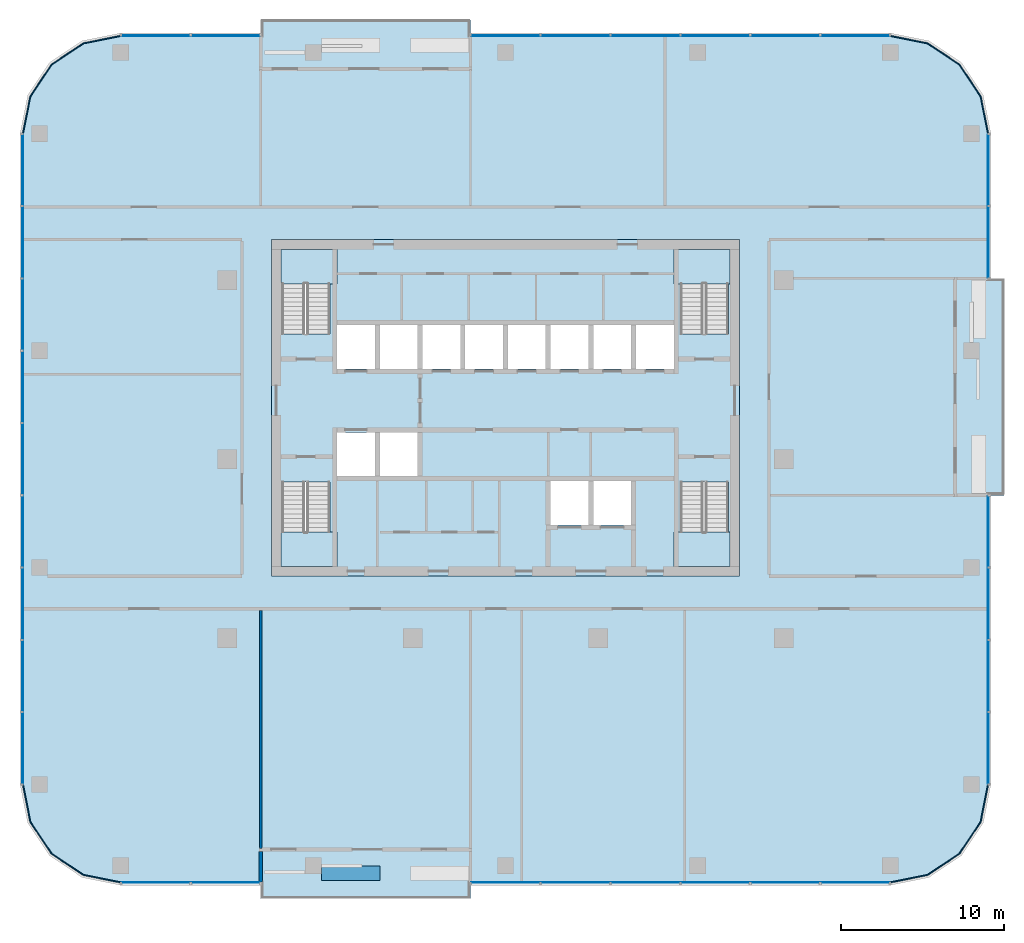
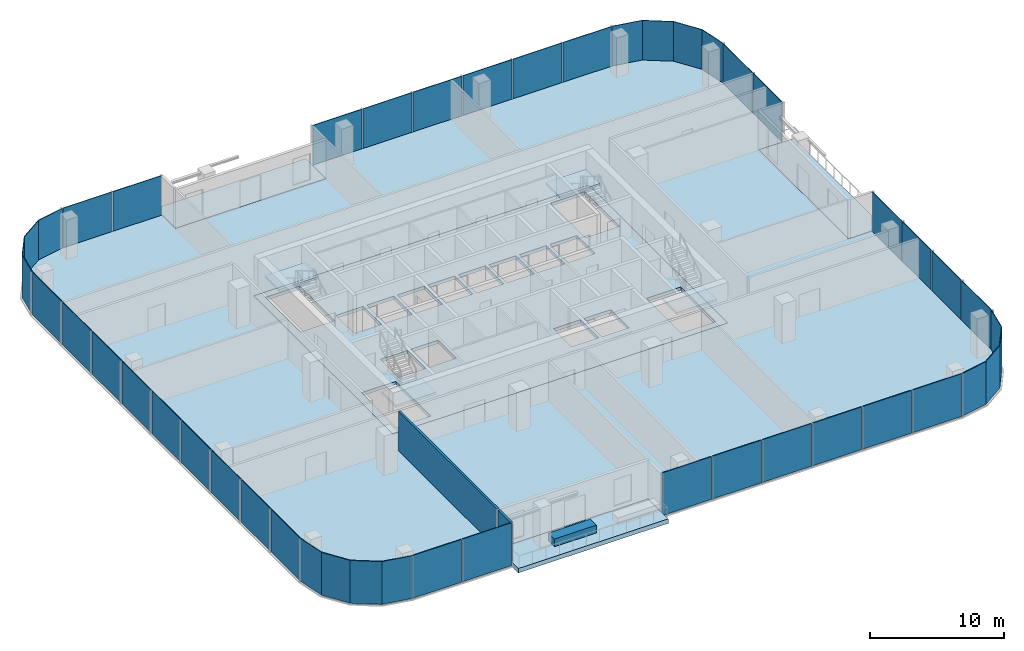
# One storey, part 6 of 13: 35 plates, 9 slabs, 3 walls, 15 elements without a shape of their own.
"""IFC4 building model written with IfcOpenShell, lengths in metres."""

from ifc_helpers import new_model, si_unit, direction, frame, frame_2d, origin, origin_2d, place, context, subcontext, project, spatial, polyline, rectangle, outline, extrude, material, layer, layer_set, type_object, element, aggregate, save


model = new_model("IFC4")

# Units and contexts
model_context = context("Model", 3, precision=1e-05, world=origin(), true_north=direction((0.0, 1.0)))
body_context = subcontext(model_context, "Body", "Model", "MODEL_VIEW")
ifc_project = project(units=[si_unit("LENGTHUNIT", "METRE"), si_unit("AREAUNIT", "SQUARE_METRE"), si_unit("VOLUMEUNIT", "CUBIC_METRE"), si_unit("PLANEANGLEUNIT", "RADIAN"), si_unit("MASSUNIT", "GRAM", prefix="KILO")], contexts=[model_context])

# Site, building, storey
site_placement = place(None, origin())
site = spatial("IfcSite", under=ifc_project, at=site_placement, CompositionType="ELEMENT")
building_placement = place(site_placement, origin())
building = spatial("IfcBuilding", under=site, at=building_placement, Name="Mopane Tessera Tower", CompositionType="ELEMENT")
storey_placement = place(building_placement, frame((0.0, 0.0, 295.39990234375)))
storey = spatial("IfcBuildingStorey", under=building, at=storey_placement, Name="L64", CompositionType="ELEMENT", Elevation=295.39990234375)

# Slab
ifc_material_1 = material(Name="Concrete C40/50", Category="concrete")
ifc_layer_1 = layer(ifc_material_1, 0.300048828125)
ifc_layer_set_1 = layer_set([ifc_layer_1], Name="Concrete C40/50")
slab_type_1 = type_object("IfcSlabType", Name="Core floor slab 300 mm", PredefinedType="FLOOR", material=ifc_layer_set_1)
slab_1_placement = place(storey_placement, frame((0.0, 0.0, -0.2998046875)))
element("IfcSlab", 1, at=slab_1_placement, inside=storey, type_object=slab_type_1, Name="L64 core floor slab", PredefinedType="FLOOR", context=body_context, shape_type="SweptSolid", body=[
    extrude(outline(polyline([(-14.39990234375, -7.199951171875), (14.39990234375, -7.199951171875), (14.39990234375, 13.5), (-14.39990234375, 13.5), (-14.39990234375, -7.199951171875)]), holes=[polyline([(-10.35009765625, -1.050048828125), (-8.02490234375, -1.050048828125), (-8.02490234375, 1.64990234375), (-10.35009765625, 1.64990234375), (-10.35009765625, -1.050048828125)]), polyline([(-7.72509765625, -1.050048828125), (-5.39990234375, -1.050048828125), (-5.39990234375, 1.64990234375), (-7.72509765625, 1.64990234375), (-7.72509765625, -1.050048828125)]), polyline([(-10.35009765625, 5.550048828125), (-8.02490234375, 5.550048828125), (-8.02490234375, 8.25), (-10.35009765625, 8.25), (-10.35009765625, 5.550048828125)]), polyline([(-7.72509765625, 5.550048828125), (-5.39990234375, 5.550048828125), (-5.39990234375, 8.25), (-7.72509765625, 8.25), (-7.72509765625, 5.550048828125)]), polyline([(-5.10009765625, 5.550048828125), (-2.77490234375, 5.550048828125), (-2.77490234375, 8.25), (-5.10009765625, 8.25), (-5.10009765625, 5.550048828125)]), polyline([(-2.47509765625, 5.550048828125), (-0.14990234375, 5.550048828125), (-0.14990234375, 8.25), (-2.47509765625, 8.25), (-2.47509765625, 5.550048828125)]), polyline([(0.14990234375, 5.550048828125), (2.47509765625, 5.550048828125), (2.47509765625, 8.25), (0.14990234375, 8.25), (0.14990234375, 5.550048828125)]), polyline([(2.77490234375, 5.550048828125), (5.10009765625, 5.550048828125), (5.10009765625, 8.25), (2.77490234375, 8.25), (2.77490234375, 5.550048828125)]), polyline([(5.39990234375, 5.550048828125), (7.72509765625, 5.550048828125), (7.72509765625, 8.25), (5.39990234375, 8.25), (5.39990234375, 5.550048828125)]), polyline([(8.02490234375, 5.550048828125), (10.35009765625, 5.550048828125), (10.35009765625, 8.25), (8.02490234375, 8.25), (8.02490234375, 5.550048828125)]), polyline([(2.77490234375, -4.050048828125), (5.10009765625, -4.050048828125), (5.10009765625, -1.35009765625), (2.77490234375, -1.35009765625), (2.77490234375, -4.050048828125)]), polyline([(5.39990234375, -4.050048828125), (7.72509765625, -4.050048828125), (7.72509765625, -1.35009765625), (5.39990234375, -1.35009765625), (5.39990234375, -4.050048828125)]), polyline([(-13.75, -1.405029296875), (-13.75, -6.60009765625), (-10.800048828125, -6.60009765625), (-10.800048828125, -1.405029296875), (-13.75, -1.405029296875)]), polyline([(-10.800048828125, 7.705078125), (-10.800048828125, 12.89990234375), (-13.75, 12.89990234375), (-13.75, 7.705078125), (-10.800048828125, 7.705078125)]), polyline([(10.75, -1.405029296875), (10.75, -6.60009765625), (13.699951171875, -6.60009765625), (13.699951171875, -1.405029296875), (10.75, -1.405029296875)]), polyline([(13.699951171875, 7.705078125), (13.699951171875, 12.89990234375), (10.75, 12.89990234375), (10.75, 7.705078125), (13.699951171875, 7.705078125)])]), origin(), (0.0, 0.0, 1.0), 0.2998046875),
])

# Stair, slab
ifc_material_2 = material(Name="Concrete C50/60", Category="concrete")
stair_type = type_object("IfcStairType", Name="Escape stair 1400 mm, riser 167 mm", PredefinedType="HALF_TURN_STAIR", material=ifc_material_2)
stair_1_placement = place(storey_placement, origin())
stair_1 = element("IfcStair", 2, at=stair_1_placement, inside=storey, type_object=stair_type, Name="L64 Escape stair south-west", PredefinedType="HALF_TURN_STAIR")
ifc_material_3 = material(Name="Concrete C50/60", Category="concrete")
ifc_layer_2 = layer(ifc_material_3, 0.199951171875)
ifc_layer_set_2 = layer_set([ifc_layer_2], Name="Concrete C50/60")
slab_type_2 = type_object("IfcSlabType", Name="Escape stair landing 200 mm", PredefinedType="LANDING", material=ifc_layer_set_2)
slab_2_placement = place(storey_placement, frame((0.0, 0.0, 1.800048828125)))
slab_2 = element("IfcSlab", 3, at=slab_2_placement, type_object=slab_type_2, Name="ST1 landing 1", PredefinedType="LANDING", context=body_context, shape_type="SweptSolid", body=[
    extrude(outline(polyline([(-13.800048828125, -4.47998046875), (-13.800048828125, -6.60009765625), (-10.35009765625, -6.60009765625), (-10.35009765625, -4.47998046875), (-13.800048828125, -4.47998046875)])), origin(), (0.0, 0.0, 1.0), 0.199951171875),
])
aggregate(stair_1, [slab_2])

stair_2_placement = place(storey_placement, origin())
stair_2 = element("IfcStair", 4, at=stair_2_placement, inside=storey, type_object=stair_type, Name="L64 Escape stair north-west", PredefinedType="HALF_TURN_STAIR")
slab_3_placement = place(storey_placement, frame((0.0, 0.0, 1.800048828125)))
slab_3 = element("IfcSlab", 5, at=slab_3_placement, type_object=slab_type_2, Name="ST2 landing 1", PredefinedType="LANDING", context=body_context, shape_type="SweptSolid", body=[
    extrude(outline(polyline([(-10.35009765625, 10.780029296875), (-10.35009765625, 12.89990234375), (-13.800048828125, 12.89990234375), (-13.800048828125, 10.780029296875), (-10.35009765625, 10.780029296875)])), origin(), (0.0, 0.0, 1.0), 0.199951171875),
])
aggregate(stair_2, [slab_3])

stair_3_placement = place(storey_placement, origin())
stair_3 = element("IfcStair", 6, at=stair_3_placement, inside=storey, type_object=stair_type, Name="L64 Escape stair south-east", PredefinedType="HALF_TURN_STAIR")
slab_4_placement = place(storey_placement, frame((0.0, 0.0, 1.800048828125)))
slab_4 = element("IfcSlab", 7, at=slab_4_placement, type_object=slab_type_2, Name="ST3 landing 1", PredefinedType="LANDING", context=body_context, shape_type="SweptSolid", body=[
    extrude(outline(polyline([(10.35009765625, -4.47998046875), (10.35009765625, -6.60009765625), (13.800048828125, -6.60009765625), (13.800048828125, -4.47998046875), (10.35009765625, -4.47998046875)])), origin(), (0.0, 0.0, 1.0), 0.199951171875),
])
aggregate(stair_3, [slab_4])

stair_4_placement = place(storey_placement, origin())
stair_4 = element("IfcStair", 8, at=stair_4_placement, inside=storey, type_object=stair_type, Name="L64 Escape stair north-east", PredefinedType="HALF_TURN_STAIR")
slab_5_placement = place(storey_placement, frame((0.0, 0.0, 1.800048828125)))
slab_5 = element("IfcSlab", 9, at=slab_5_placement, type_object=slab_type_2, Name="ST4 landing 1", PredefinedType="LANDING", context=body_context, shape_type="SweptSolid", body=[
    extrude(outline(polyline([(13.800048828125, 10.780029296875), (13.800048828125, 12.89990234375), (10.35009765625, 12.89990234375), (10.35009765625, 10.780029296875), (13.800048828125, 10.780029296875)])), origin(), (0.0, 0.0, 1.0), 0.199951171875),
])
aggregate(stair_4, [slab_5])

# Slabs
ifc_material_4 = material(Name="Concrete C40/50", Category="concrete")
ifc_layer_3 = layer(ifc_material_4, 0.39990234375)
ifc_layer_set_3 = layer_set([ifc_layer_3], Name="Concrete C40/50")
slab_type_3 = type_object("IfcSlabType", Name="Planted terrace slab 400 mm", PredefinedType="FLOOR", material=ifc_layer_set_3)
slab_6_placement = place(storey_placement, frame((0.0, 0.0, -0.39990234375)))
element("IfcSlab", 10, at=slab_6_placement, inside=storey, type_object=slab_type_3, Name="Terrace slab N1 L64", PredefinedType="FLOOR", context=body_context, shape_type="SweptSolid", body=[
    extrude(outline(polyline([(30.64990234375, 11.111083984375), (27.64990234375, 11.111083984375), (27.64990234375, -2.22216796875), (30.64990234375, -2.22216796875), (30.64990234375, 11.111083984375)])), origin(), (0.0, 0.0, 1.0), 0.39990234375),
])
slab_7_placement = place(storey_placement, frame((0.0, 0.0, -0.39990234375)))
element("IfcSlab", 11, at=slab_7_placement, inside=storey, type_object=slab_type_3, Name="Terrace slab N2 L64", PredefinedType="FLOOR", context=body_context, shape_type="SweptSolid", body=[
    extrude(outline(polyline([(-15.050048828125, 27.0), (-15.050048828125, 24.0), (-2.14990234375, 24.0), (-2.14990234375, 27.0), (-15.050048828125, 27.0)])), origin(), (0.0, 0.0, 1.0), 0.39990234375),
])
slab_8_placement = place(storey_placement, frame((0.0, 0.0, -0.39990234375)))
element("IfcSlab", 12, at=slab_8_placement, inside=storey, type_object=slab_type_3, Name="Terrace slab N3 L64", PredefinedType="FLOOR", context=body_context, shape_type="SweptSolid", body=[
    extrude(outline(polyline([(-2.14990234375, -27.0), (-2.14990234375, -24.0), (-15.050048828125, -24.0), (-15.050048828125, -27.0), (-2.14990234375, -27.0)])), origin(), (0.0, 0.0, 1.0), 0.39990234375),
])
ifc_material_5 = material(Name="Concrete C40/50", Category="concrete")
ifc_layer_4 = layer(ifc_material_5, 0.39990234375)
ifc_layer_set_4 = layer_set([ifc_layer_4], Name="Concrete C40/50")
slab_type_4 = type_object("IfcSlabType", Name="Post-tensioned flat plate 400 mm", PredefinedType="FLOOR", material=ifc_layer_set_4)
slab_9_placement = place(storey_placement, frame((0.0, 0.0, -0.39990234375)))
element("IfcSlab", 13, at=slab_9_placement, inside=storey, type_object=slab_type_4, Name="Floor slab L64", PredefinedType="FLOOR", context=body_context, shape_type="SweptSolid", body=[
    extrude(outline(polyline([(-23.64990234375, -26.0), (-15.050048828125, -26.0), (-15.050048828125, -24.0), (-2.14990234375, -24.0), (-2.14990234375, -26.0), (23.64990234375, -26.0), (25.946044921875, -25.543212890625), (27.892578125, -24.24267578125), (29.193359375, -22.296142578125), (29.64990234375, -20.0), (29.64990234375, -2.22216796875), (27.64990234375, -2.22216796875), (27.64990234375, 11.111083984375), (29.64990234375, 11.111083984375), (29.64990234375, 20.0), (29.193359375, 22.296142578125), (27.892578125, 24.24267578125), (25.946044921875, 25.543212890625), (23.64990234375, 26.0), (-2.14990234375, 26.0), (-2.14990234375, 24.0), (-15.050048828125, 24.0), (-15.050048828125, 26.0), (-23.64990234375, 26.0), (-25.946044921875, 25.543212890625), (-27.892578125, 24.24267578125), (-29.193359375, 22.296142578125), (-29.64990234375, 20.0), (-29.64990234375, -20.0), (-29.193359375, -22.296142578125), (-27.892578125, -24.24267578125), (-25.946044921875, -25.543212890625), (-23.64990234375, -26.0)]), holes=[polyline([(14.39990234375, -7.199951171875), (-14.39990234375, -7.199951171875), (-14.39990234375, 13.5), (14.39990234375, 13.5), (14.39990234375, -7.199951171875)])]), origin(), (0.0, 0.0, 1.0), 0.39990234375),
])

# Curtain wall, plates
ifc_material_6 = material(Name="Aluminium frame", Category="aluminium")
curtain_wall_type = type_object("IfcCurtainWallType", Name="Unitised curtain wall", PredefinedType="NOTDEFINED", material=ifc_material_6)
curtain_wall_1_placement = place(storey_placement, origin())
curtain_wall_1 = element("IfcCurtainWall", 14, at=curtain_wall_1_placement, inside=storey, type_object=curtain_wall_type, Name="e:cw:L64:S:0", PredefinedType="NOTDEFINED")
ifc_material_7 = material(Name="Clear laminated glass", Category="glass")
ifc_layer_5 = layer(ifc_material_7, 0.06005859375)
ifc_layer_set_5 = layer_set([ifc_layer_5], Name="Clear laminated glass")
plate_type = type_object("IfcPlateType", Name="Unitised glazed unit", PredefinedType="CURTAIN_PANEL", material=ifc_layer_set_5)
plate_1_placement = place(storey_placement, frame((-21.5, -26.030029296875, -0.27978515625), z_axis=(0.0, 0.0, 1.0), x_axis=(1.0, 0.0, 0.0)))
plate_1 = element("IfcPlate", 15, at=plate_1_placement, type_object=plate_type, Name="e:cw:L64:S:0:pn0", PredefinedType="CURTAIN_PANEL", context=body_context, shape_type="SweptSolid", body=[
    extrude(rectangle(XDim=4.199951171875, YDim=0.06005859375, at=origin_2d()), origin(), (0.0, 0.0, 1.0), 3.8798828125),
])
plate_2_placement = place(storey_placement, frame((-17.199951171875, -26.030029296875, -0.27978515625), z_axis=(0.0, 0.0, 1.0), x_axis=(1.0, 0.0, 0.0)))
plate_2 = element("IfcPlate", 16, at=plate_2_placement, type_object=plate_type, Name="e:cw:L64:S:0:pn1", PredefinedType="CURTAIN_PANEL", context=body_context, shape_type="SweptSolid", body=[
    extrude(rectangle(XDim=4.199951171875, YDim=0.06005859375, at=origin_2d()), origin(), (0.0, 0.0, 1.0), 3.8798828125),
])
aggregate(curtain_wall_1, [plate_1, plate_2])

curtain_wall_2_placement = place(storey_placement, origin())
curtain_wall_2 = element("IfcCurtainWall", 17, at=curtain_wall_2_placement, inside=storey, type_object=curtain_wall_type, Name="e:cw:L64:S:5", PredefinedType="NOTDEFINED")
plate_3_placement = place(storey_placement, frame((0.0, -26.030029296875, -0.27978515625), z_axis=(0.0, 0.0, 1.0), x_axis=(1.0, 0.0, 0.0)))
plate_3 = element("IfcPlate", 18, at=plate_3_placement, type_object=plate_type, Name="e:cw:L64:S:5:pn5", PredefinedType="CURTAIN_PANEL", context=body_context, shape_type="SweptSolid", body=[
    extrude(rectangle(XDim=4.199951171875, YDim=0.06005859375, at=origin_2d()), origin(), (0.0, 0.0, 1.0), 3.8798828125),
])
plate_4_placement = place(storey_placement, frame((4.300048828125, -26.030029296875, -0.27978515625), z_axis=(0.0, 0.0, 1.0), x_axis=(1.0, 0.0, 0.0)))
plate_4 = element("IfcPlate", 19, at=plate_4_placement, type_object=plate_type, Name="e:cw:L64:S:5:pn6", PredefinedType="CURTAIN_PANEL", context=body_context, shape_type="SweptSolid", body=[
    extrude(rectangle(XDim=4.199951171875, YDim=0.06005859375, at=origin_2d()), origin(), (0.0, 0.0, 1.0), 3.8798828125),
])
plate_5_placement = place(storey_placement, frame((8.60009765625, -26.030029296875, -0.27978515625), z_axis=(0.0, 0.0, 1.0), x_axis=(1.0, 0.0, 0.0)))
plate_5 = element("IfcPlate", 20, at=plate_5_placement, type_object=plate_type, Name="e:cw:L64:S:5:pn7", PredefinedType="CURTAIN_PANEL", context=body_context, shape_type="SweptSolid", body=[
    extrude(rectangle(XDim=4.199951171875, YDim=0.06005859375, at=origin_2d()), origin(), (0.0, 0.0, 1.0), 3.8798828125),
])
plate_6_placement = place(storey_placement, frame((12.89990234375, -26.030029296875, -0.27978515625), z_axis=(0.0, 0.0, 1.0), x_axis=(1.0, 0.0, 0.0)))
plate_6 = element("IfcPlate", 21, at=plate_6_placement, type_object=plate_type, Name="e:cw:L64:S:5:pn8", PredefinedType="CURTAIN_PANEL", context=body_context, shape_type="SweptSolid", body=[
    extrude(rectangle(XDim=4.199951171875, YDim=0.06005859375, at=origin_2d()), origin(), (0.0, 0.0, 1.0), 3.8798828125),
])
plate_7_placement = place(storey_placement, frame((17.199951171875, -26.030029296875, -0.27978515625), z_axis=(0.0, 0.0, 1.0), x_axis=(1.0, 0.0, 0.0)))
plate_7 = element("IfcPlate", 22, at=plate_7_placement, type_object=plate_type, Name="e:cw:L64:S:5:pn9", PredefinedType="CURTAIN_PANEL", context=body_context, shape_type="SweptSolid", body=[
    extrude(rectangle(XDim=4.199951171875, YDim=0.06005859375, at=origin_2d()), origin(), (0.0, 0.0, 1.0), 3.8798828125),
])
plate_8_placement = place(storey_placement, frame((21.5, -26.030029296875, -0.27978515625), z_axis=(0.0, 0.0, 1.0), x_axis=(1.0, 0.0, 0.0)))
plate_8 = element("IfcPlate", 23, at=plate_8_placement, type_object=plate_type, Name="e:cw:L64:S:5:pn10", PredefinedType="CURTAIN_PANEL", context=body_context, shape_type="SweptSolid", body=[
    extrude(rectangle(XDim=4.199951171875, YDim=0.06005859375, at=origin_2d()), origin(), (0.0, 0.0, 1.0), 3.8798828125),
])
aggregate(curtain_wall_2, [plate_3, plate_4, plate_5, plate_6, plate_7, plate_8])

# Curtain wall, plate
curtain_wall_3_placement = place(storey_placement, origin())
curtain_wall_3 = element("IfcCurtainWall", 24, at=curtain_wall_3_placement, inside=storey, type_object=curtain_wall_type, Name="e:cw:L64:CS", PredefinedType="NOTDEFINED")
plate_9_placement = place(storey_placement, frame((0.0, 0.0, -0.27978515625)))
plate_9 = element("IfcPlate", 25, at=plate_9_placement, type_object=plate_type, Name="e:cw:L64:CS:pn", PredefinedType="CURTAIN_PANEL", context=body_context, shape_type="SweptSolid", body=[
    extrude(outline(polyline([(23.64990234375, -26.0), (25.946044921875, -25.543212890625), (27.892578125, -24.24267578125), (29.193359375, -22.296142578125), (29.64990234375, -20.0), (29.7099609375, -20.0), (29.248779296875, -22.319091796875), (27.93505859375, -24.28515625), (25.968994140625, -25.5986328125), (23.64990234375, -26.06005859375), (23.64990234375, -26.0)])), origin(), (0.0, 0.0, 1.0), 3.8798828125),
])
aggregate(curtain_wall_3, [plate_9])

# Curtain wall, plates
curtain_wall_4_placement = place(storey_placement, origin())
curtain_wall_4 = element("IfcCurtainWall", 26, at=curtain_wall_4_placement, inside=storey, type_object=curtain_wall_type, Name="e:cw:L64:E:0", PredefinedType="NOTDEFINED")
plate_10_placement = place(storey_placement, frame((29.679931640625, -17.77783203125, -0.27978515625), z_axis=(0.0, 0.0, 1.0), x_axis=(0.0, 1.0, 0.0)))
plate_10 = element("IfcPlate", 27, at=plate_10_placement, type_object=plate_type, Name="e:cw:L64:E:0:pn0", PredefinedType="CURTAIN_PANEL", context=body_context, shape_type="SweptSolid", body=[
    extrude(rectangle(XDim=4.344482421875, YDim=0.06005859375, at=origin_2d()), origin(), (0.0, 0.0, 1.0), 3.8798828125),
])
plate_11_placement = place(storey_placement, frame((29.679931640625, -13.333251953125, -0.27978515625), z_axis=(0.0, 0.0, 1.0), x_axis=(0.0, 1.0, 0.0)))
plate_11 = element("IfcPlate", 28, at=plate_11_placement, type_object=plate_type, Name="e:cw:L64:E:0:pn1", PredefinedType="CURTAIN_PANEL", context=body_context, shape_type="SweptSolid", body=[
    extrude(rectangle(XDim=4.344482421875, YDim=0.06005859375, at=origin_2d()), origin(), (0.0, 0.0, 1.0), 3.8798828125),
])
plate_12_placement = place(storey_placement, frame((29.679931640625, -8.888916015625, -0.27978515625), z_axis=(0.0, 0.0, 1.0), x_axis=(0.0, 1.0, 0.0)))
plate_12 = element("IfcPlate", 29, at=plate_12_placement, type_object=plate_type, Name="e:cw:L64:E:0:pn2", PredefinedType="CURTAIN_PANEL", context=body_context, shape_type="SweptSolid", body=[
    extrude(rectangle(XDim=4.344482421875, YDim=0.06005859375, at=origin_2d()), origin(), (0.0, 0.0, 1.0), 3.8798828125),
])
plate_13_placement = place(storey_placement, frame((29.679931640625, -4.4443359375, -0.27978515625), z_axis=(0.0, 0.0, 1.0), x_axis=(0.0, 1.0, 0.0)))
plate_13 = element("IfcPlate", 30, at=plate_13_placement, type_object=plate_type, Name="e:cw:L64:E:0:pn3", PredefinedType="CURTAIN_PANEL", context=body_context, shape_type="SweptSolid", body=[
    extrude(rectangle(XDim=4.344482421875, YDim=0.06005859375, at=origin_2d()), origin(), (0.0, 0.0, 1.0), 3.8798828125),
])
aggregate(curtain_wall_4, [plate_10, plate_11, plate_12, plate_13])

curtain_wall_5_placement = place(storey_placement, origin())
curtain_wall_5 = element("IfcCurtainWall", 31, at=curtain_wall_5_placement, inside=storey, type_object=curtain_wall_type, Name="e:cw:L64:E:7", PredefinedType="NOTDEFINED")
plate_14_placement = place(storey_placement, frame((29.679931640625, 13.333251953125, -0.27978515625), z_axis=(0.0, 0.0, 1.0), x_axis=(0.0, 1.0, 0.0)))
plate_14 = element("IfcPlate", 32, at=plate_14_placement, type_object=plate_type, Name="e:cw:L64:E:7:pn7", PredefinedType="CURTAIN_PANEL", context=body_context, shape_type="SweptSolid", body=[
    extrude(rectangle(XDim=4.344482421875, YDim=0.06005859375, at=origin_2d()), origin(), (0.0, 0.0, 1.0), 3.8798828125),
])
plate_15_placement = place(storey_placement, frame((29.679931640625, 17.77783203125, -0.27978515625), z_axis=(0.0, 0.0, 1.0), x_axis=(0.0, 1.0, 0.0)))
plate_15 = element("IfcPlate", 33, at=plate_15_placement, type_object=plate_type, Name="e:cw:L64:E:7:pn8", PredefinedType="CURTAIN_PANEL", context=body_context, shape_type="SweptSolid", body=[
    extrude(rectangle(XDim=4.344482421875, YDim=0.06005859375, at=origin_2d()), origin(), (0.0, 0.0, 1.0), 3.8798828125),
])
aggregate(curtain_wall_5, [plate_14, plate_15])

# Curtain wall, plate
curtain_wall_6_placement = place(storey_placement, origin())
curtain_wall_6 = element("IfcCurtainWall", 34, at=curtain_wall_6_placement, inside=storey, type_object=curtain_wall_type, Name="e:cw:L64:CE", PredefinedType="NOTDEFINED")
plate_16_placement = place(storey_placement, frame((0.0, 0.0, -0.27978515625)))
plate_16 = element("IfcPlate", 35, at=plate_16_placement, type_object=plate_type, Name="e:cw:L64:CE:pn", PredefinedType="CURTAIN_PANEL", context=body_context, shape_type="SweptSolid", body=[
    extrude(outline(polyline([(29.64990234375, 20.0), (29.193359375, 22.296142578125), (27.892578125, 24.24267578125), (25.946044921875, 25.543212890625), (23.64990234375, 26.0), (23.64990234375, 26.06005859375), (25.968994140625, 25.5986328125), (27.93505859375, 24.28515625), (29.248779296875, 22.319091796875), (29.7099609375, 20.0), (29.64990234375, 20.0)])), origin(), (0.0, 0.0, 1.0), 3.8798828125),
])
aggregate(curtain_wall_6, [plate_16])

# Curtain wall, plates
curtain_wall_7_placement = place(storey_placement, origin())
curtain_wall_7 = element("IfcCurtainWall", 36, at=curtain_wall_7_placement, inside=storey, type_object=curtain_wall_type, Name="e:cw:L64:N:0", PredefinedType="NOTDEFINED")
plate_17_placement = place(storey_placement, frame((21.5, 26.030029296875, -0.27978515625), z_axis=(0.0, 0.0, 1.0), x_axis=(-1.0, 0.0, 0.0)))
plate_17 = element("IfcPlate", 37, at=plate_17_placement, type_object=plate_type, Name="e:cw:L64:N:0:pn0", PredefinedType="CURTAIN_PANEL", context=body_context, shape_type="SweptSolid", body=[
    extrude(rectangle(XDim=4.199951171875, YDim=0.06005859375, at=origin_2d()), origin(), (0.0, 0.0, 1.0), 3.8798828125),
])
plate_18_placement = place(storey_placement, frame((17.199951171875, 26.030029296875, -0.27978515625), z_axis=(0.0, 0.0, 1.0), x_axis=(-1.0, 0.0, 0.0)))
plate_18 = element("IfcPlate", 38, at=plate_18_placement, type_object=plate_type, Name="e:cw:L64:N:0:pn1", PredefinedType="CURTAIN_PANEL", context=body_context, shape_type="SweptSolid", body=[
    extrude(rectangle(XDim=4.199951171875, YDim=0.06005859375, at=origin_2d()), origin(), (0.0, 0.0, 1.0), 3.8798828125),
])
plate_19_placement = place(storey_placement, frame((12.89990234375, 26.030029296875, -0.27978515625), z_axis=(0.0, 0.0, 1.0), x_axis=(-1.0, 0.0, 0.0)))
plate_19 = element("IfcPlate", 39, at=plate_19_placement, type_object=plate_type, Name="e:cw:L64:N:0:pn2", PredefinedType="CURTAIN_PANEL", context=body_context, shape_type="SweptSolid", body=[
    extrude(rectangle(XDim=4.199951171875, YDim=0.06005859375, at=origin_2d()), origin(), (0.0, 0.0, 1.0), 3.8798828125),
])
plate_20_placement = place(storey_placement, frame((8.60009765625, 26.030029296875, -0.27978515625), z_axis=(0.0, 0.0, 1.0), x_axis=(-1.0, 0.0, 0.0)))
plate_20 = element("IfcPlate", 40, at=plate_20_placement, type_object=plate_type, Name="e:cw:L64:N:0:pn3", PredefinedType="CURTAIN_PANEL", context=body_context, shape_type="SweptSolid", body=[
    extrude(rectangle(XDim=4.199951171875, YDim=0.06005859375, at=origin_2d()), origin(), (0.0, 0.0, 1.0), 3.8798828125),
])
plate_21_placement = place(storey_placement, frame((4.300048828125, 26.030029296875, -0.27978515625), z_axis=(0.0, 0.0, 1.0), x_axis=(-1.0, 0.0, 0.0)))
plate_21 = element("IfcPlate", 41, at=plate_21_placement, type_object=plate_type, Name="e:cw:L64:N:0:pn4", PredefinedType="CURTAIN_PANEL", context=body_context, shape_type="SweptSolid", body=[
    extrude(rectangle(XDim=4.199951171875, YDim=0.06005859375, at=origin_2d()), origin(), (0.0, 0.0, 1.0), 3.8798828125),
])
plate_22_placement = place(storey_placement, frame((0.0, 26.030029296875, -0.27978515625), z_axis=(0.0, 0.0, 1.0), x_axis=(-1.0, 0.0, 0.0)))
plate_22 = element("IfcPlate", 42, at=plate_22_placement, type_object=plate_type, Name="e:cw:L64:N:0:pn5", PredefinedType="CURTAIN_PANEL", context=body_context, shape_type="SweptSolid", body=[
    extrude(rectangle(XDim=4.199951171875, YDim=0.06005859375, at=origin_2d()), origin(), (0.0, 0.0, 1.0), 3.8798828125),
])
aggregate(curtain_wall_7, [plate_17, plate_18, plate_19, plate_20, plate_21, plate_22])

curtain_wall_8_placement = place(storey_placement, origin())
curtain_wall_8 = element("IfcCurtainWall", 43, at=curtain_wall_8_placement, inside=storey, type_object=curtain_wall_type, Name="e:cw:L64:N:9", PredefinedType="NOTDEFINED")
plate_23_placement = place(storey_placement, frame((-17.199951171875, 26.030029296875, -0.27978515625), z_axis=(0.0, 0.0, 1.0), x_axis=(-1.0, 0.0, 0.0)))
plate_23 = element("IfcPlate", 44, at=plate_23_placement, type_object=plate_type, Name="e:cw:L64:N:9:pn9", PredefinedType="CURTAIN_PANEL", context=body_context, shape_type="SweptSolid", body=[
    extrude(rectangle(XDim=4.199951171875, YDim=0.06005859375, at=origin_2d()), origin(), (0.0, 0.0, 1.0), 3.8798828125),
])
plate_24_placement = place(storey_placement, frame((-21.5, 26.030029296875, -0.27978515625), z_axis=(0.0, 0.0, 1.0), x_axis=(-1.0, 0.0, 0.0)))
plate_24 = element("IfcPlate", 45, at=plate_24_placement, type_object=plate_type, Name="e:cw:L64:N:9:pn10", PredefinedType="CURTAIN_PANEL", context=body_context, shape_type="SweptSolid", body=[
    extrude(rectangle(XDim=4.199951171875, YDim=0.06005859375, at=origin_2d()), origin(), (0.0, 0.0, 1.0), 3.8798828125),
])
aggregate(curtain_wall_8, [plate_23, plate_24])

# Curtain wall, plate
curtain_wall_9_placement = place(storey_placement, origin())
curtain_wall_9 = element("IfcCurtainWall", 46, at=curtain_wall_9_placement, inside=storey, type_object=curtain_wall_type, Name="e:cw:L64:CN", PredefinedType="NOTDEFINED")
plate_25_placement = place(storey_placement, frame((0.0, 0.0, -0.27978515625)))
plate_25 = element("IfcPlate", 47, at=plate_25_placement, type_object=plate_type, Name="e:cw:L64:CN:pn", PredefinedType="CURTAIN_PANEL", context=body_context, shape_type="SweptSolid", body=[
    extrude(outline(polyline([(-23.64990234375, 26.0), (-25.946044921875, 25.543212890625), (-27.892578125, 24.24267578125), (-29.193359375, 22.296142578125), (-29.64990234375, 20.0), (-29.7099609375, 20.0), (-29.248779296875, 22.319091796875), (-27.93505859375, 24.28515625), (-25.968994140625, 25.5986328125), (-23.64990234375, 26.06005859375), (-23.64990234375, 26.0)])), origin(), (0.0, 0.0, 1.0), 3.8798828125),
])
aggregate(curtain_wall_9, [plate_25])

# Curtain wall, plates
curtain_wall_10_placement = place(storey_placement, origin())
curtain_wall_10 = element("IfcCurtainWall", 48, at=curtain_wall_10_placement, inside=storey, type_object=curtain_wall_type, Name="e:cw:L64:W:0", PredefinedType="NOTDEFINED")
plate_26_placement = place(storey_placement, frame((-29.679931640625, 17.77783203125, -0.27978515625), z_axis=(0.0, 0.0, 1.0), x_axis=(0.0, -1.0, 0.0)))
plate_26 = element("IfcPlate", 49, at=plate_26_placement, type_object=plate_type, Name="e:cw:L64:W:0:pn0", PredefinedType="CURTAIN_PANEL", context=body_context, shape_type="SweptSolid", body=[
    extrude(rectangle(XDim=4.344482421875, YDim=0.06005859375, at=origin_2d()), origin(), (0.0, 0.0, 1.0), 3.8798828125),
])
plate_27_placement = place(storey_placement, frame((-29.679931640625, 13.333251953125, -0.27978515625), z_axis=(0.0, 0.0, 1.0), x_axis=(0.0, -1.0, 0.0)))
plate_27 = element("IfcPlate", 50, at=plate_27_placement, type_object=plate_type, Name="e:cw:L64:W:0:pn1", PredefinedType="CURTAIN_PANEL", context=body_context, shape_type="SweptSolid", body=[
    extrude(rectangle(XDim=4.344482421875, YDim=0.06005859375, at=origin_2d()), origin(), (0.0, 0.0, 1.0), 3.8798828125),
])
plate_28_placement = place(storey_placement, frame((-29.679931640625, 8.888916015625, -0.27978515625), z_axis=(0.0, 0.0, 1.0), x_axis=(0.0, -1.0, 0.0)))
plate_28 = element("IfcPlate", 51, at=plate_28_placement, type_object=plate_type, Name="e:cw:L64:W:0:pn2", PredefinedType="CURTAIN_PANEL", context=body_context, shape_type="SweptSolid", body=[
    extrude(rectangle(XDim=4.344482421875, YDim=0.06005859375, at=origin_2d()), origin(), (0.0, 0.0, 1.0), 3.8798828125),
])
plate_29_placement = place(storey_placement, frame((-29.679931640625, 4.4443359375, -0.27978515625), z_axis=(0.0, 0.0, 1.0), x_axis=(0.0, -1.0, 0.0)))
plate_29 = element("IfcPlate", 52, at=plate_29_placement, type_object=plate_type, Name="e:cw:L64:W:0:pn3", PredefinedType="CURTAIN_PANEL", context=body_context, shape_type="SweptSolid", body=[
    extrude(rectangle(XDim=4.344482421875, YDim=0.06005859375, at=origin_2d()), origin(), (0.0, 0.0, 1.0), 3.8798828125),
])
plate_30_placement = place(storey_placement, frame((-29.679931640625, 0.0, -0.27978515625), z_axis=(0.0, 0.0, 1.0), x_axis=(0.0, -1.0, 0.0)))
plate_30 = element("IfcPlate", 53, at=plate_30_placement, type_object=plate_type, Name="e:cw:L64:W:0:pn4", PredefinedType="CURTAIN_PANEL", context=body_context, shape_type="SweptSolid", body=[
    extrude(rectangle(XDim=4.344482421875, YDim=0.06005859375, at=origin_2d()), origin(), (0.0, 0.0, 1.0), 3.8798828125),
])
plate_31_placement = place(storey_placement, frame((-29.679931640625, -4.4443359375, -0.27978515625), z_axis=(0.0, 0.0, 1.0), x_axis=(0.0, -1.0, 0.0)))
plate_31 = element("IfcPlate", 54, at=plate_31_placement, type_object=plate_type, Name="e:cw:L64:W:0:pn5", PredefinedType="CURTAIN_PANEL", context=body_context, shape_type="SweptSolid", body=[
    extrude(rectangle(XDim=4.344482421875, YDim=0.06005859375, at=origin_2d()), origin(), (0.0, 0.0, 1.0), 3.8798828125),
])
plate_32_placement = place(storey_placement, frame((-29.679931640625, -8.888916015625, -0.27978515625), z_axis=(0.0, 0.0, 1.0), x_axis=(0.0, -1.0, 0.0)))
plate_32 = element("IfcPlate", 55, at=plate_32_placement, type_object=plate_type, Name="e:cw:L64:W:0:pn6", PredefinedType="CURTAIN_PANEL", context=body_context, shape_type="SweptSolid", body=[
    extrude(rectangle(XDim=4.344482421875, YDim=0.06005859375, at=origin_2d()), origin(), (0.0, 0.0, 1.0), 3.8798828125),
])
plate_33_placement = place(storey_placement, frame((-29.679931640625, -13.333251953125, -0.27978515625), z_axis=(0.0, 0.0, 1.0), x_axis=(0.0, -1.0, 0.0)))
plate_33 = element("IfcPlate", 56, at=plate_33_placement, type_object=plate_type, Name="e:cw:L64:W:0:pn7", PredefinedType="CURTAIN_PANEL", context=body_context, shape_type="SweptSolid", body=[
    extrude(rectangle(XDim=4.344482421875, YDim=0.06005859375, at=origin_2d()), origin(), (0.0, 0.0, 1.0), 3.8798828125),
])
plate_34_placement = place(storey_placement, frame((-29.679931640625, -17.77783203125, -0.27978515625), z_axis=(0.0, 0.0, 1.0), x_axis=(0.0, -1.0, 0.0)))
plate_34 = element("IfcPlate", 57, at=plate_34_placement, type_object=plate_type, Name="e:cw:L64:W:0:pn8", PredefinedType="CURTAIN_PANEL", context=body_context, shape_type="SweptSolid", body=[
    extrude(rectangle(XDim=4.344482421875, YDim=0.06005859375, at=origin_2d()), origin(), (0.0, 0.0, 1.0), 3.8798828125),
])
aggregate(curtain_wall_10, [plate_26, plate_27, plate_28, plate_29, plate_30, plate_31, plate_32, plate_33, plate_34])

# Curtain wall, plate
curtain_wall_11_placement = place(storey_placement, origin())
curtain_wall_11 = element("IfcCurtainWall", 58, at=curtain_wall_11_placement, inside=storey, type_object=curtain_wall_type, Name="e:cw:L64:CW", PredefinedType="NOTDEFINED")
plate_35_placement = place(storey_placement, frame((0.0, 0.0, -0.27978515625)))
plate_35 = element("IfcPlate", 59, at=plate_35_placement, type_object=plate_type, Name="e:cw:L64:CW:pn", PredefinedType="CURTAIN_PANEL", context=body_context, shape_type="SweptSolid", body=[
    extrude(outline(polyline([(-29.64990234375, -20.0), (-29.193359375, -22.296142578125), (-27.892578125, -24.24267578125), (-25.946044921875, -25.543212890625), (-23.64990234375, -26.0), (-23.64990234375, -26.06005859375), (-25.968994140625, -25.5986328125), (-27.93505859375, -24.28515625), (-29.248779296875, -22.319091796875), (-29.7099609375, -20.0), (-29.64990234375, -20.0)])), origin(), (0.0, 0.0, 1.0), 3.8798828125),
])
aggregate(curtain_wall_11, [plate_35])

# Walls
ifc_material_8 = material(Name="Gypsum board on staggered steel studs, double layer each face, acoustic mineral wool infill", Category="steel")
ifc_layer_6 = layer(ifc_material_8, 0.175048828125)
ifc_layer_set_6 = layer_set([ifc_layer_6], Name="Gypsum board on staggered steel studs, double layer each face, acoustic mineral wool infill")
wall_type_1 = type_object("IfcWallType", Name="Gypsum board acoustic partition 175, rated EI 60", PredefinedType="PARTITIONING", material=ifc_layer_set_6)
wall_1_placement = place(storey_placement, frame((-15.050048828125, -23.949951171875, 0.0), z_axis=(0.0, 0.0, 1.0), x_axis=(0.0, 1.0, 0.0)))
element("IfcWall", 60, at=wall_1_placement, inside=storey, type_object=wall_type_1, Name="Partition L64:011", PredefinedType="PARTITIONING", context=body_context, shape_type="SweptSolid", body=[
    extrude(rectangle(XDim=14.64990234375, YDim=0.175048828125, at=frame_2d((7.324951171875, 0.0))), origin(), (0.0, 0.0, 1.0), 3.60009765625),
])
ifc_material_9 = material(Name="Reinforced concrete C32/40 with waterproofing", Category="concrete")
ifc_layer_7 = layer(ifc_material_9, 0.89990234375)
ifc_layer_set_7 = layer_set([ifc_layer_7], Name="Reinforced concrete C32/40 with waterproofing")
wall_type_2 = type_object("IfcWallType", Name="Planter trough 3600 x 900", PredefinedType="STANDARD", material=ifc_layer_set_7)
wall_2_placement = place(storey_placement, frame((-11.304931640625, -25.449951171875, 0.0), z_axis=(0.0, 0.0, 1.0), x_axis=(1.0, 0.0, 0.0)))
element("IfcWall", 61, at=wall_2_placement, inside=storey, type_object=wall_type_2, Name="e:nw:L64:N3:pl0", PredefinedType="STANDARD", context=body_context, shape_type="SweptSolid", body=[
    extrude(rectangle(XDim=3.60009765625, YDim=0.89990234375, at=frame_2d((1.800048828125, 0.0))), origin(), (0.0, 0.0, 1.0), 0.7001953125),
])
ifc_material_10 = material(Name="Blockwork with glazed tile facing", Category="masonry")
ifc_layer_8 = layer(ifc_material_10, 0.199951171875)
ifc_layer_set_8 = layer_set([ifc_layer_8], Name="Blockwork with glazed tile facing")
wall_type_3 = type_object("IfcWallType", Name="Terrace cheek wall 200", PredefinedType="STANDARD", material=ifc_layer_set_8)
wall_3_placement = place(storey_placement, frame((-15.050048828125, -26.0, 0.0), z_axis=(0.0, 0.0, 1.0), x_axis=(0.0, 1.0, 0.0)))
element("IfcWall", 62, at=wall_3_placement, inside=storey, type_object=wall_type_3, Name="e:nw:L64:N3:cheeka", PredefinedType="STANDARD", context=body_context, shape_type="SweptSolid", body=[
    extrude(rectangle(XDim=1.875, YDim=0.199951171875, at=frame_2d((0.9375, 0.0))), origin(), (0.0, 0.0, 1.0), 3.60009765625),
])

save(model, "model.ifc")
